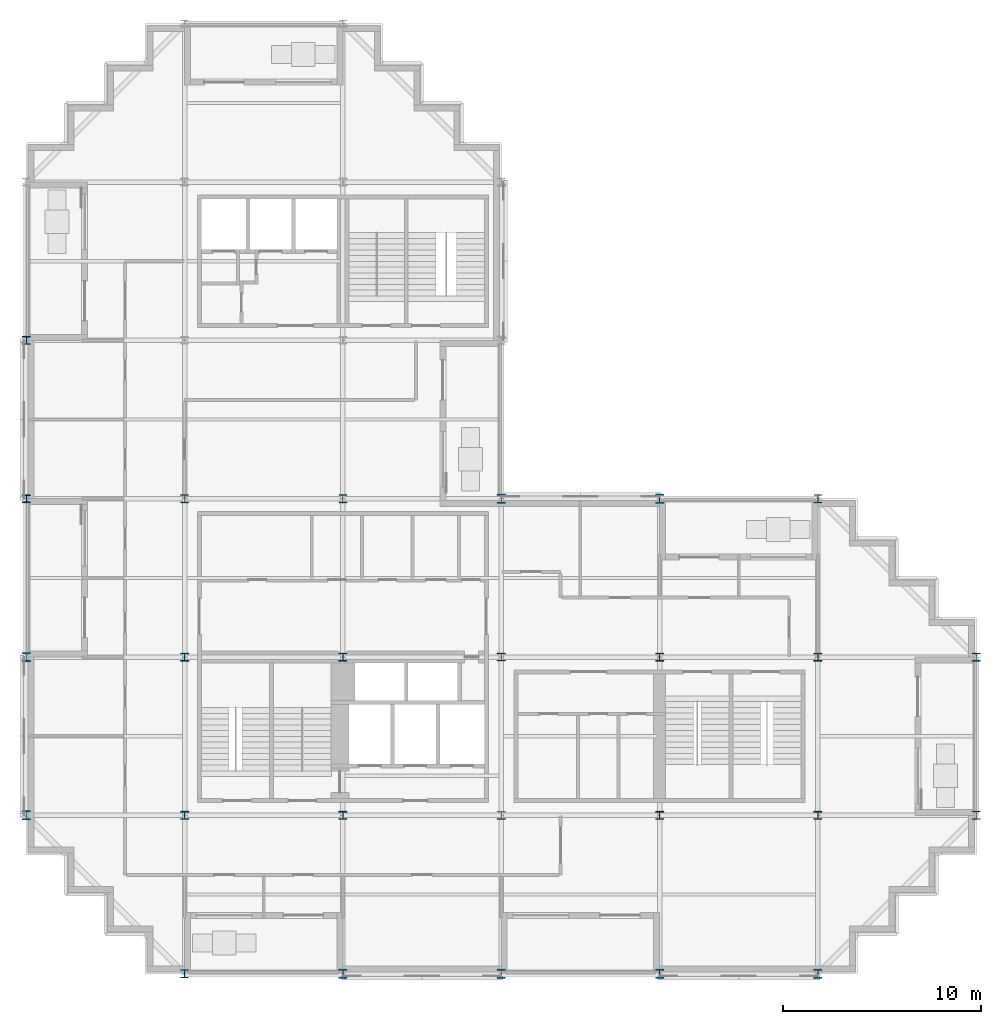
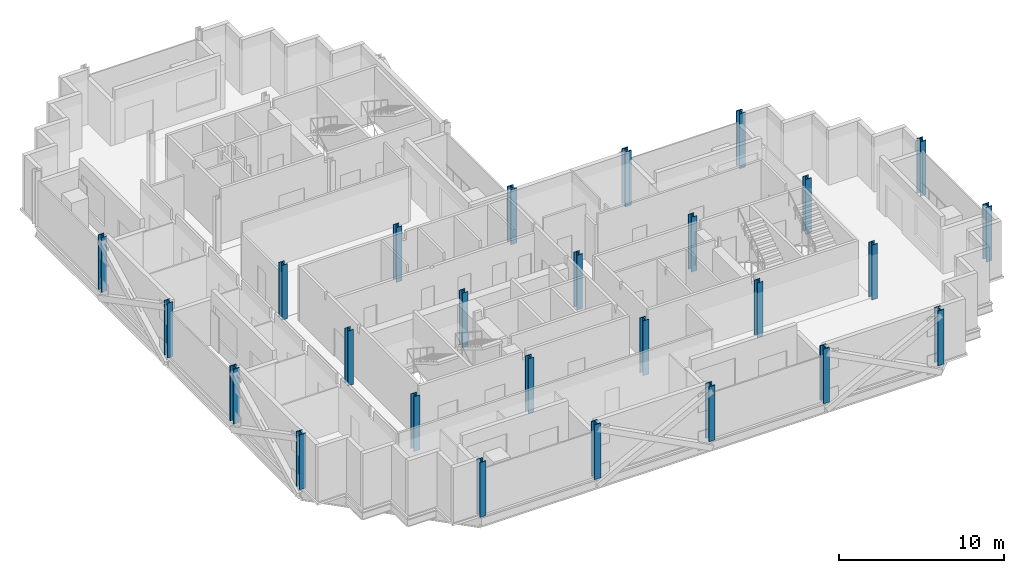
# One storey, part 1 of 12: 26 columns.
"""IFC4 building model written with IfcOpenShell, lengths in metres."""

import ifcopenshell
import ifcopenshell.guid

model = None  # the IFC model being written
_history = None  # IfcOwnerHistory: only IFC2X3 demands one
_inside = {}  # id of a spatial element -> (the spatial element, [elements in it])
_under = {}  # id of a project, library or spatial element -> (it, [spatial elements below it])
_declared = {}  # id of a project -> (the project, [libraries it declares])
_typed = {}  # id of a type object -> (the type object, [elements of that type])
_made_of = {}  # id of a material, layer set ... -> (it, [elements and type objects made of it])


def new_model(schema):
    """Start an empty IFC model of exactly this schema.

    Asked for "IFC4X3", IfcOpenShell would pick the latest addendum, in which some entities
    have other attributes; the version numbers below select the first issue.
    IFC2X3 requires an IfcOwnerHistory on every rooted entity: one is made here for all.
    """
    global model, _history
    if schema == "IFC4X3":
        model = ifcopenshell.file(schema_version=(4, 3, 0, 0))
    else:
        model = ifcopenshell.file(schema=schema)
    _inside.clear()
    _under.clear()
    _declared.clear()
    _typed.clear()
    _made_of.clear()
    _history = None
    if model.schema == "IFC2X3":
        org = make("IfcOrganization", Name="unknown")
        user = make(
            "IfcPersonAndOrganization",
            ThePerson=make("IfcPerson", FamilyName="unknown"),
            TheOrganization=org,
        )
        app = make(
            "IfcApplication",
            ApplicationDeveloper=org,
            Version="unknown",
            ApplicationFullName="unknown",
            ApplicationIdentifier="unknown",
        )
        _history = make(
            "IfcOwnerHistory",
            OwningUser=user,
            OwningApplication=app,
            ChangeAction="ADDED",
            CreationDate=0,
        )
    return model


def make(cls, **values):
    """One entity of the class cls with the attributes given. An attribute that is None is left unset."""
    return model.create_entity(
        cls, **{name: value for name, value in values.items() if value is not None}
    )


def rooted(cls, **values):
    """An entity with a GlobalId (a new one), such as an element, a storey or a relation."""
    return make(cls, GlobalId=ifcopenshell.guid.new(), OwnerHistory=_history, **values)


def si_unit(unit_type, name, prefix=None):
    """IfcSIUnit, for example si_unit("LENGTHUNIT", "METRE", prefix="MILLI")."""
    return make("IfcSIUnit", UnitType=unit_type, Prefix=prefix, Name=name)


def assignment(units):
    """IfcUnitAssignment: the units of a project."""
    return None if units is None else make("IfcUnitAssignment", Units=units)


def point(xyz):
    """IfcCartesianPoint."""
    return None if xyz is None else make("IfcCartesianPoint", Coordinates=xyz)


def direction(xyz):
    """IfcDirection."""
    return None if xyz is None else make("IfcDirection", DirectionRatios=xyz)


def frame(location, z_axis=None, x_axis=None):
    """IfcAxis2Placement3D, a coordinate frame: its origin and axes. An axis left out is left unset."""
    return make(
        "IfcAxis2Placement3D",
        Location=point(location),
        Axis=direction(z_axis),
        RefDirection=direction(x_axis),
    )


def frame_2d(location, x_axis=None):
    """IfcAxis2Placement2D, a coordinate frame in the plane: its origin and x axis."""
    return make(
        "IfcAxis2Placement2D", Location=point(location), RefDirection=direction(x_axis)
    )


def origin():
    """The frame at (0, 0, 0) with its axes left unset."""
    return frame((0.0, 0.0, 0.0))


def origin_2d():
    """The frame at (0, 0) in the plane with its x axis left unset."""
    return frame_2d((0.0, 0.0))


def place(relative_to, where):
    """IfcLocalPlacement: puts the frame where relative to a parent placement (None: the world)."""
    return make(
        "IfcLocalPlacement", PlacementRelTo=relative_to, RelativePlacement=where
    )


def context(
    kind, dimensions, precision=None, world=None, true_north=None, identifier=None
):
    """IfcGeometricRepresentationContext, for example the 3D "Model" context."""
    return make(
        "IfcGeometricRepresentationContext",
        ContextIdentifier=identifier,
        ContextType=kind,
        CoordinateSpaceDimension=dimensions,
        Precision=precision,
        WorldCoordinateSystem=world,
        TrueNorth=true_north,
    )


def subcontext(parent, identifier, kind, view, scale=None):
    """IfcGeometricRepresentationSubContext, for example "Body" below "Model"."""
    return make(
        "IfcGeometricRepresentationSubContext",
        ContextIdentifier=identifier,
        ContextType=kind,
        ParentContext=parent,
        TargetScale=scale,
        TargetView=view,
    )


def project(units=None, contexts=None):
    """IfcProject with its units and contexts."""
    return rooted(
        "IfcProject",
        Name="project",
        RepresentationContexts=contexts,
        UnitsInContext=assignment(units),
    )


def spatial(cls, under=None, at=None, **own):
    """A site, building, storey or space (cls), placed at a placement, below another one or the project."""
    s = rooted(cls, ObjectPlacement=at, **own)
    if under is not None:
        _under.setdefault(under.id(), (under, []))[1].append(s)
    return s


def profile(cls, at=None, kind="AREA", **sizes):
    """A parametric profile (cls). Its sizes go by their IFC names, for example OverallWidth=200.0."""
    return make(cls, ProfileType=kind, Position=at, **sizes)


def i_section(**sizes):
    """IfcIShapeProfileDef."""
    return profile("IfcIShapeProfileDef", **sizes)


def extrude(swept, where, along, depth):
    """IfcExtrudedAreaSolid: the profile swept, set in the frame where, extruded along a direction by depth."""
    return make(
        "IfcExtrudedAreaSolid",
        SweptArea=swept,
        Position=where,
        ExtrudedDirection=direction(along),
        Depth=depth,
    )


def shape(context_of_items, identifier, shape_type, items):
    """IfcShapeRepresentation: the items that make up one representation, for example the "Body"."""
    return make(
        "IfcShapeRepresentation",
        ContextOfItems=context_of_items,
        RepresentationIdentifier=identifier,
        RepresentationType=shape_type,
        Items=items,
    )


def material(Name=None, Category=None):
    """IfcMaterial."""
    return make("IfcMaterial", Name=Name, Category=Category)


def material_profile(
    of_material, cross_section, Name=None, Category=None, Priority=None
):
    """IfcMaterialProfile: a cross section and its material."""
    return make(
        "IfcMaterialProfile",
        Name=Name,
        Material=of_material,
        Profile=cross_section,
        Priority=Priority,
        Category=Category,
    )


def profile_set(profiles, Name=None, composite=None):
    """IfcMaterialProfileSet."""
    return make(
        "IfcMaterialProfileSet",
        Name=Name,
        MaterialProfiles=profiles,
        CompositeProfile=composite,
    )


def made_of(thing, what):
    """Note that an element or type object is made of a material, layer set ...; save() writes the relation."""
    if what is not None:
        _made_of.setdefault(what.id(), (what, []))[1].append(thing)
    return thing


def type_object(cls, material=None, **own):
    """A type object (cls), such as IfcWallType, which elements share."""
    return made_of(rooted(cls, **own), material)


def element(
    cls,
    number,
    at=None,
    inside=None,
    cuts=None,
    type_object=None,
    material=None,
    context=None,
    identifier="Body",
    shape_type=None,
    held_by="IfcProductDefinitionShape",
    body=None,
    shapes=None,
    **own,
):
    """One element of the class cls, such as IfcWall. Its Tag is "e" and its number.

    at: its placement. inside: the storey or other place that contains it. cuts: it is an
    opening in that element (IfcRelVoidsElement). A single representation is given by context,
    identifier, shape_type and body (its items); several are given by shapes. held_by: the class
    of the entity that holds the representations. save() writes the other relations.
    """
    e = rooted(cls, Tag="e%d" % number, ObjectPlacement=at, **own)
    if body is not None:
        shapes = [shape(context, identifier, shape_type, body)]
    if shapes is not None:
        e.Representation = make(held_by, Representations=shapes)
    if inside is not None:
        _inside.setdefault(inside.id(), (inside, []))[1].append(e)
    if cuts is not None:
        rooted(
            "IfcRelVoidsElement", RelatingBuildingElement=cuts, RelatedOpeningElement=e
        )
    if type_object is not None:
        _typed.setdefault(type_object.id(), (type_object, []))[1].append(e)
    return made_of(e, material)


def aggregate(whole, parts):
    """IfcRelAggregates: a whole, such as a stair, and the parts it consists of."""
    return rooted("IfcRelAggregates", RelatingObject=whole, RelatedObjects=parts)


def save(model, path):
    """Write the relations noted so far, then the file.

    IfcRelAggregates (storeys below a building ...), IfcRelContainedInSpatialStructure (elements
    in a storey), IfcRelDefinesByType, IfcRelAssociatesMaterial and IfcRelDeclares: one each for
    every whole, place, type object, material and project.
    """
    for whole, parts in _under.values():
        aggregate(whole, parts)
    for where, things in _inside.values():
        rooted(
            "IfcRelContainedInSpatialStructure",
            RelatedElements=things,
            RelatingStructure=where,
        )
    for kind, things in _typed.values():
        rooted("IfcRelDefinesByType", RelatedObjects=things, RelatingType=kind)
    for what, things in _made_of.values():
        rooted("IfcRelAssociatesMaterial", RelatedObjects=things, RelatingMaterial=what)
    for by, libraries in _declared.values():
        rooted("IfcRelDeclares", RelatingContext=by, RelatedDefinitions=libraries)
    model.write(path)


model = new_model("IFC4")

# Units and contexts
model_context = context("Model", 3, precision=1e-05, world=origin(), true_north=direction((0.0, 1.0)))
body_context = subcontext(model_context, "Body", "Model", "MODEL_VIEW")
ifc_project = project(units=[si_unit("LENGTHUNIT", "METRE"), si_unit("AREAUNIT", "SQUARE_METRE"), si_unit("VOLUMEUNIT", "CUBIC_METRE"), si_unit("PLANEANGLEUNIT", "RADIAN"), si_unit("MASSUNIT", "GRAM", prefix="KILO")], contexts=[model_context])

# Site, building, storey
site_placement = place(None, origin())
site = spatial("IfcSite", under=ifc_project, at=site_placement, CompositionType="ELEMENT")
building_placement = place(site_placement, origin())
building = spatial("IfcBuilding", under=site, at=building_placement, Name="Immortelle Media Tower", CompositionType="ELEMENT")
storey_placement = place(building_placement, frame((0.0, 0.0, 132.60009765625)))
storey = spatial("IfcBuildingStorey", under=building, at=storey_placement, Name="L26", CompositionType="ELEMENT", Elevation=132.60009765625)

# Columns
ifc_material = material(Name="Steel ASTM A992 Gr 50", Category="steel")
ifc_material_profile_1 = material_profile(ifc_material, i_section(OverallWidth=0.40087890625, OverallDepth=0.39892578125, WebThickness=0.02490234375, FlangeThickness=0.0400390625, at=origin_2d()), Name="W14x211")
ifc_profile_set_1 = profile_set([ifc_material_profile_1], Name="Steel ASTM A992 Gr 50")
column_type_1 = type_object("IfcColumnType", Name="W14x211 column", PredefinedType="COLUMN", material=ifc_profile_set_1)
for number, where, z_axis, x_axis, name in (
    (1, (0.0, 24.0, 0.0), (0.0, 0.0, 1.0), (1.0, 0.0, 0.0), "Column 1/D"),
    (2, (0.0, 32.0, 0.0), (0.0, 0.0, 1.0), (1.0, 0.0, 0.0), "Column 1/E"),
    (3, (8.0, 8.0, 0.0), (0.0, 0.0, 1.0), (1.0, 0.0, 0.0), "Column 2/B"),
    (4, (8.0, 16.0, 0.0), (0.0, 0.0, 1.0), (1.0, 0.0, 0.0), "Column 2/C"),
    (5, (16.0, 8.0, 0.0), (0.0, 0.0, 1.0), (1.0, 0.0, 0.0), "Column 3/B"),
    (6, (16.0, 16.0, 0.0), (0.0, 0.0, 1.0), (1.0, 0.0, 0.0), "Column 3/C"),
    (7, (32.0, 8.0, 0.0), (0.0, 0.0, 1.0), (1.0, 0.0, 0.0), "Column 5/B"),
    (8, (32.0, 16.0, 0.0), (0.0, 0.0, 1.0), (1.0, 0.0, 0.0), "Column 5/C"),
    (9, (40.0, 8.0, 0.0), (0.0, 0.0, 1.0), (1.0, 0.0, 0.0), "Column 6/B"),
    (10, (40.0, 16.0, 0.0), (0.0, 0.0, 1.0), (1.0, 0.0, 0.0), "Column 6/C"),
):
    element("IfcColumn", number, at=place(storey_placement, frame(where, z_axis=z_axis, x_axis=x_axis)), inside=storey, type_object=column_type_1, Name=name, PredefinedType="COLUMN", context=body_context, shape_type="SweptSolid", body=[
        extrude(i_section(OverallWidth=0.40087890625, OverallDepth=0.39892578125, WebThickness=0.02490234375, FlangeThickness=0.0400390625, at=origin_2d()), origin(), (0.0, 0.0, 1.0), 4.0498046875),
    ])
ifc_material_profile_2 = material_profile(ifc_material, i_section(OverallWidth=0.406005859375, OverallDepth=0.4169921875, WebThickness=0.030029296875, FlangeThickness=0.048095703125, at=origin_2d()), Name="W14x257")
ifc_profile_set_2 = profile_set([ifc_material_profile_2], Name="Steel ASTM A992 Gr 50")
column_type_2 = type_object("IfcColumnType", Name="W14x257 column", PredefinedType="COLUMN", material=ifc_profile_set_2)
for number, where, z_axis, x_axis, name in (
    (11, (8.0, 24.0, 0.0), (0.0, 0.0, 1.0), (1.0, 0.0, 0.0), "Column 2/D"),
    (12, (16.0, 24.0, 0.0), (0.0, 0.0, 1.0), (1.0, 0.0, 0.0), "Column 3/D"),
    (13, (24.0, 8.0, 0.0), (0.0, 0.0, 1.0), (1.0, 0.0, 0.0), "Column 4/B"),
    (14, (24.0, 16.0, 0.0), (0.0, 0.0, 1.0), (1.0, 0.0, 0.0), "Column 4/C"),
):
    element("IfcColumn", number, at=place(storey_placement, frame(where, z_axis=z_axis, x_axis=x_axis)), inside=storey, type_object=column_type_2, Name=name, PredefinedType="COLUMN", context=body_context, shape_type="SweptSolid", body=[
        extrude(i_section(OverallWidth=0.406005859375, OverallDepth=0.4169921875, WebThickness=0.030029296875, FlangeThickness=0.048095703125, at=origin_2d()), origin(), (0.0, 0.0, 1.0), 4.0498046875),
    ])
ifc_material_profile_3 = material_profile(ifc_material, i_section(OverallWidth=0.410888671875, OverallDepth=0.43408203125, WebThickness=0.035888671875, FlangeThickness=0.056884765625, at=origin_2d()), Name="W14x311")
ifc_profile_set_3 = profile_set([ifc_material_profile_3], Name="Steel ASTM A992 Gr 50")
column_type_3 = type_object("IfcColumnType", Name="W14x311 column", PredefinedType="COLUMN", material=ifc_profile_set_3)
for number, where, z_axis, x_axis, name in (
    (15, (8.0, 0.0, 0.0), (0.0, 0.0, 1.0), (1.0, 0.0, 0.0), "Column 2/A"),
    (16, (40.0, 24.0, 0.0), (0.0, 0.0, 1.0), (1.0, 0.0, 0.0), "Column 6/D"),
    (17, (48.0, 8.0, 0.0), (0.0, 0.0, 1.0), (1.0, 0.0, 0.0), "Column 7/B"),
    (18, (48.0, 16.0, 0.0), (0.0, 0.0, 1.0), (1.0, 0.0, 0.0), "Column 7/C"),
):
    element("IfcColumn", number, at=place(storey_placement, frame(where, z_axis=z_axis, x_axis=x_axis)), inside=storey, type_object=column_type_3, Name=name, PredefinedType="COLUMN", context=body_context, shape_type="SweptSolid", body=[
        extrude(i_section(OverallWidth=0.410888671875, OverallDepth=0.43408203125, WebThickness=0.035888671875, FlangeThickness=0.056884765625, at=origin_2d()), origin(), (0.0, 0.0, 1.0), 4.0498046875),
    ])
ifc_material_profile_4 = material_profile(ifc_material, i_section(OverallWidth=0.424072265625, OverallDepth=0.47509765625, WebThickness=0.048095703125, FlangeThickness=0.076904296875, at=origin_2d()), Name="W14x426")
ifc_profile_set_4 = profile_set([ifc_material_profile_4], Name="Steel ASTM A992 Gr 50")
column_type_4 = type_object("IfcColumnType", Name="W14x426 column", PredefinedType="COLUMN", material=ifc_profile_set_4)
for number, where, z_axis, x_axis, name in (
    (19, (0.0, 8.0, 0.0), (0.0, 0.0, 1.0), (1.0, 0.0, 0.0), "Column 1/B"),
    (20, (0.0, 16.0, 0.0), (0.0, 0.0, 1.0), (1.0, 0.0, 0.0), "Column 1/C"),
    (21, (16.0, 0.0, 0.0), (0.0, 0.0, 1.0), (1.0, 0.0, 0.0), "Column 3/A"),
    (22, (24.0, 0.0, 0.0), (0.0, 0.0, 1.0), (1.0, 0.0, 0.0), "Column 4/A"),
    (23, (24.0, 24.0, 0.0), (0.0, 0.0, 1.0), (1.0, 0.0, 0.0), "Column 4/D"),
    (24, (32.0, 0.0, 0.0), (0.0, 0.0, 1.0), (1.0, 0.0, 0.0), "Column 5/A"),
    (25, (32.0, 24.0, 0.0), (0.0, 0.0, 1.0), (1.0, 0.0, 0.0), "Column 5/D"),
    (26, (40.0, 0.0, 0.0), (0.0, 0.0, 1.0), (1.0, 0.0, 0.0), "Column 6/A"),
):
    element("IfcColumn", number, at=place(storey_placement, frame(where, z_axis=z_axis, x_axis=x_axis)), inside=storey, type_object=column_type_4, Name=name, PredefinedType="COLUMN", context=body_context, shape_type="SweptSolid", body=[
        extrude(i_section(OverallWidth=0.424072265625, OverallDepth=0.47509765625, WebThickness=0.048095703125, FlangeThickness=0.076904296875, at=origin_2d()), origin(), (0.0, 0.0, 1.0), 4.0498046875),
    ])

save(model, "model.ifc")
